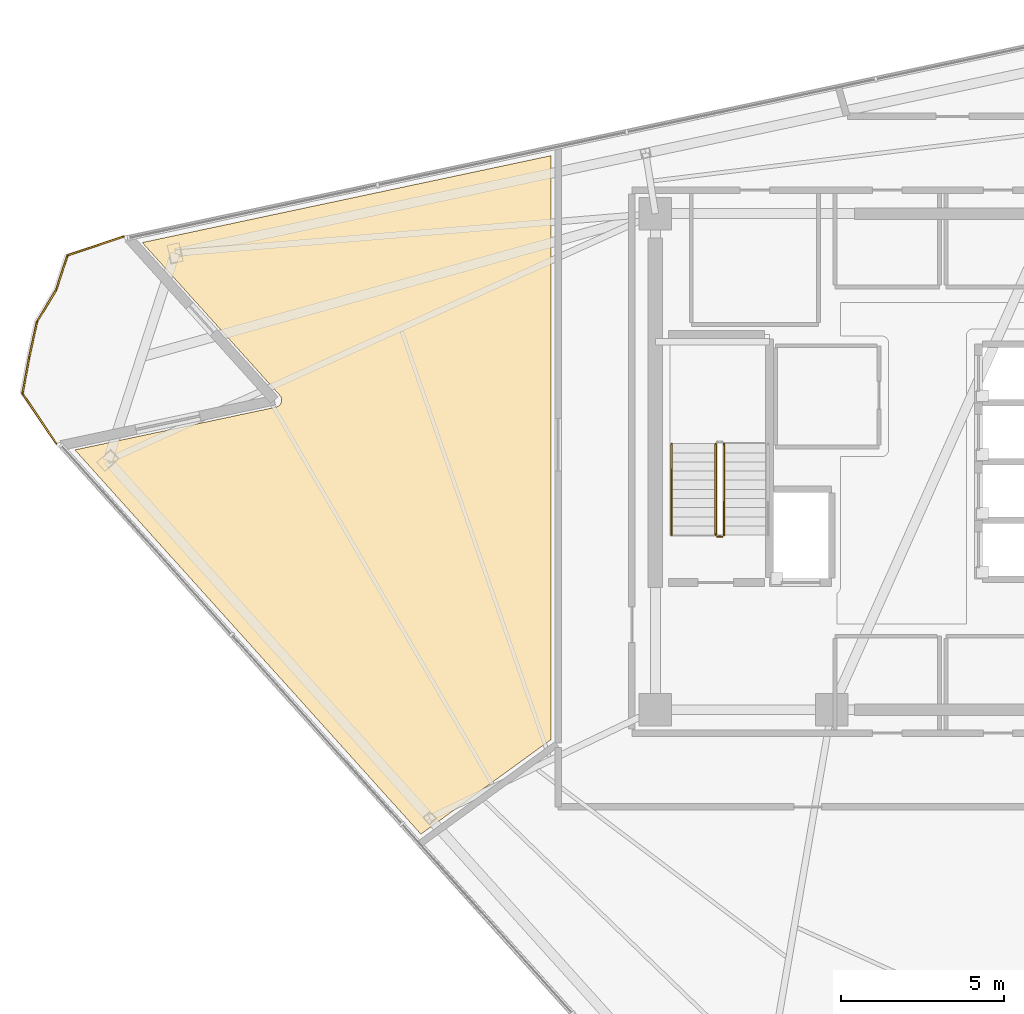
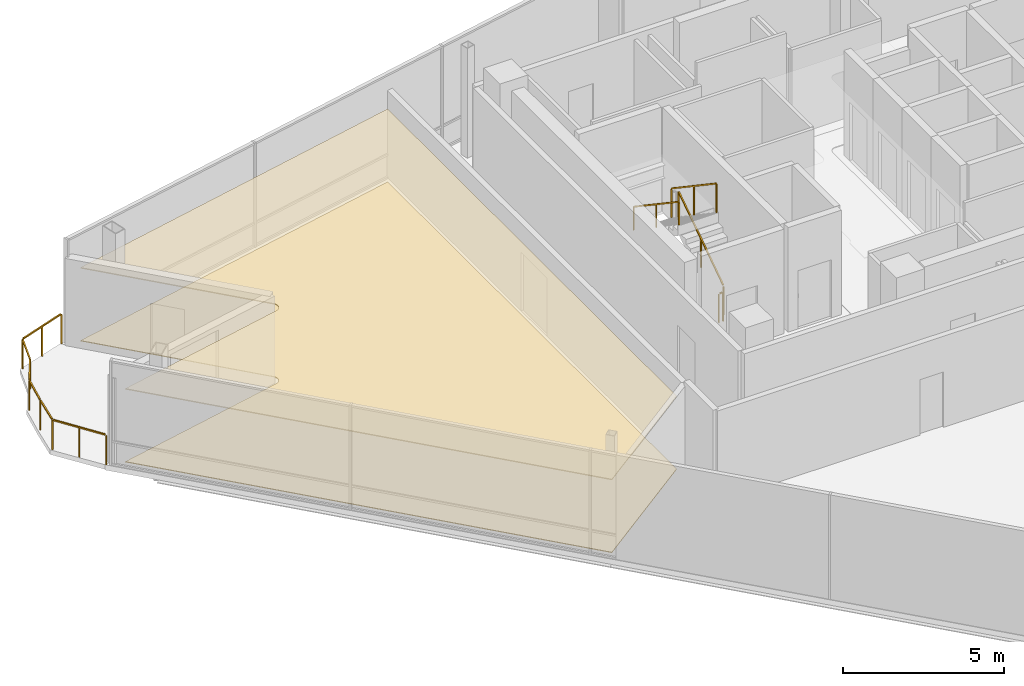
# One storey, part 14 of 16: 5 railings, 2 coverings.
"""IFC4 building model written with IfcOpenShell, lengths in metres."""

from ifc_helpers import new_model, si_unit, direction, frame, origin, origin_2d, place, context, subcontext, project, spatial, polyline, rectangle, outline, extrude, material, layer, layer_set, type_object, element, save


model = new_model("IFC4")

# Units and contexts
model_context = context("Model", 3, precision=1e-05, world=origin(), true_north=direction((0.0, 1.0)))
body_context = subcontext(model_context, "Body", "Model", "MODEL_VIEW")
ifc_project = project(units=[si_unit("LENGTHUNIT", "METRE"), si_unit("AREAUNIT", "SQUARE_METRE"), si_unit("VOLUMEUNIT", "CUBIC_METRE"), si_unit("PLANEANGLEUNIT", "RADIAN"), si_unit("MASSUNIT", "GRAM", prefix="KILO")], contexts=[model_context])

# Site, building, storey
site_placement = place(None, origin())
site = spatial("IfcSite", under=ifc_project, at=site_placement, CompositionType="ELEMENT")
building_placement = place(site_placement, origin())
building = spatial("IfcBuilding", under=site, at=building_placement, Name="Tharavind Bronze Gate", CompositionType="ELEMENT")
storey_placement = place(building_placement, frame((0.0, 0.0, 302.14990234375)))
storey = spatial("IfcBuildingStorey", under=building, at=storey_placement, Name="L78", CompositionType="ELEMENT", Elevation=302.14990234375)

# Coverings
ifc_material_1 = material(Name="Acoustic Gypsum Board", Category="gypsum")
ifc_layer_1 = layer(ifc_material_1, 0.030029296875)
ifc_layer_set_1 = layer_set([ifc_layer_1], Name="Acoustic Gypsum Board")
covering_type_1 = type_object("IfcCoveringType", Name="GYPSUM SUSPENDED CEILING", PredefinedType="CEILING", material=ifc_layer_set_1)
covering_1_placement = place(storey_placement, frame((0.0, 0.0, 2.75)))
element("IfcCovering", 1, at=covering_1_placement, inside=storey, type_object=covering_type_1, Name="L78-RM-03 suspended ceiling", PredefinedType="CEILING", context=body_context, shape_type="SweptSolid", body=[
    extrude(outline(polyline([(-16.08544921875, -11.414794921875), (-12.10009765625, -8.519287109375), (-12.10009765625, 9.3740234375), (-24.62255859375, 6.712158203125), (-20.408203125, 2.03173828125), (-20.401123046875, 2.023193359375), (-20.400634765625, 2.02294921875), (-20.3876953125, 2.005126953125), (-20.376708984375, 1.986328125), (-20.367431640625, 1.96630859375), (-20.360107421875, 1.94580078125), (-20.35498046875, 1.92431640625), (-20.35205078125, 1.902587890625), (-20.351318359375, 1.880615234375), (-20.352783203125, 1.85888671875), (-20.3564453125, 1.837158203125), (-20.362060546875, 1.81591796875), (-20.369873046875, 1.79541015625), (-20.379638671875, 1.77587890625), (-20.3916015625, 1.75732421875), (-20.405029296875, 1.739990234375), (-20.420166015625, 1.72412109375), (-20.436767578125, 1.7099609375), (-20.454833984375, 1.697509765625), (-20.473876953125, 1.686767578125), (-20.494140625, 1.677978515625), (-20.514892578125, 1.67138671875), (-20.515380859375, 1.671142578125), (-20.526123046875, 1.668701171875), (-26.686767578125, 0.359130859375), (-16.08544921875, -11.414794921875)])), origin(), (0.0, 0.0, 1.0), 0.03515625),
])
ifc_material_2 = material(Name="Honed Travertine Limestone", Category="masonry")
ifc_layer_2 = layer(ifc_material_2, 0.030029296875)
ifc_layer_set_2 = layer_set([ifc_layer_2], Name="Honed Travertine Limestone")
covering_type_2 = type_object("IfcCoveringType", Name="HONED LIMESTONE FLOORING", PredefinedType="FLOORING", material=ifc_layer_set_2)
covering_2_placement = place(storey_placement, origin())
element("IfcCovering", 2, at=covering_2_placement, inside=storey, type_object=covering_type_2, Name="L78-RM-03 floor finish", PredefinedType="FLOORING", context=body_context, shape_type="SweptSolid", body=[
    extrude(outline(polyline([(-16.08544921875, -11.414794921875), (-12.10009765625, -8.519287109375), (-12.10009765625, 9.3740234375), (-24.62255859375, 6.712158203125), (-20.408203125, 2.03173828125), (-20.401123046875, 2.023193359375), (-20.400634765625, 2.02294921875), (-20.3876953125, 2.005126953125), (-20.376708984375, 1.986328125), (-20.367431640625, 1.96630859375), (-20.360107421875, 1.94580078125), (-20.35498046875, 1.92431640625), (-20.35205078125, 1.902587890625), (-20.351318359375, 1.880615234375), (-20.352783203125, 1.85888671875), (-20.3564453125, 1.837158203125), (-20.362060546875, 1.81591796875), (-20.369873046875, 1.79541015625), (-20.379638671875, 1.77587890625), (-20.3916015625, 1.75732421875), (-20.405029296875, 1.739990234375), (-20.420166015625, 1.72412109375), (-20.436767578125, 1.7099609375), (-20.454833984375, 1.697509765625), (-20.473876953125, 1.686767578125), (-20.494140625, 1.677978515625), (-20.514892578125, 1.67138671875), (-20.515380859375, 1.671142578125), (-20.526123046875, 1.668701171875), (-26.686767578125, 0.359130859375), (-16.08544921875, -11.414794921875)])), origin(), (0.0, 0.0, 1.0), 0.025146484375),
])

# Railings
ifc_material_3 = material(Name="Brushed Bronze Alloy", Category="metal")
railing_type_1 = type_object("IfcRailingType", Name="STAIR BRONZE HANDRAIL 900", PredefinedType="HANDRAIL", material=ifc_material_3)
railing_1_placement = place(storey_placement, frame((-8.39990234375, 0.550048828125, 2.263671875)))
element("IfcRailing", 3, at=railing_1_placement, inside=storey, type_object=railing_type_1, Name="L78 ST1 stair handrail 2", PredefinedType="HANDRAIL", context=body_context, shape_type="SweptSolid", body=[
    extrude(rectangle(XDim=0.048095703125, YDim=0.048095703125, at=origin_2d()), frame((0.0, -0.026611328125, 0.893798828125), z_axis=(0.0, -0.829337087117, 0.558748598148), x_axis=(1.0, 0.0, 0.0)), (0.0, 0.0, 1.0), 3.312255859375),
    extrude(rectangle(XDim=0.0400390625, YDim=0.0400390625, at=origin_2d()), origin(), (0.0, 0.0, 1.0), 0.847900390625),
    extrude(rectangle(XDim=0.0400390625, YDim=0.0400390625, at=origin_2d()), frame((0.0, -1.39990234375, 0.943359375)), (0.0, 0.0, 1.0), 0.847900390625),
    extrude(rectangle(XDim=0.0400390625, YDim=0.0400390625, at=origin_2d()), frame((0.0, -2.800048828125, 1.886474609375)), (0.0, 0.0, 1.0), 0.847900390625),
])
railing_type_2 = type_object("IfcRailingType", Name="STAIR WELL GUARD RAILING 1120", PredefinedType="GUARDRAIL", material=ifc_material_3)
railing_2_placement = place(storey_placement, frame((-6.800048828125, -2.25, 0.188720703125)))
element("IfcRailing", 4, at=railing_2_placement, inside=storey, type_object=railing_type_2, Name="L78 ST1 stair guard 1", PredefinedType="GUARDRAIL", context=body_context, shape_type="SweptSolid", body=[
    extrude(rectangle(XDim=0.048095703125, YDim=0.048095703125, at=origin_2d()), frame((0.0, 0.026611328125, 1.114013671875), z_axis=(0.0, 0.829337087117, 0.558748598148), x_axis=(-1.0, 0.0, 0.0)), (0.0, 0.0, 1.0), 3.312255859375),
    extrude(rectangle(XDim=0.0400390625, YDim=0.0400390625, at=origin_2d()), origin(), (0.0, 0.0, 1.0), 1.068115234375),
    extrude(rectangle(XDim=0.0400390625, YDim=0.0400390625, at=origin_2d()), frame((0.0, 1.39990234375, 0.943359375)), (0.0, 0.0, 1.0), 1.068115234375),
    extrude(rectangle(XDim=0.0400390625, YDim=0.0400390625, at=origin_2d()), frame((0.0, 2.800048828125, 1.886474609375)), (0.0, 0.0, 1.0), 1.068115234375),
])
railing_3_placement = place(storey_placement, frame((-7.050048828125, 0.550048828125, 2.263671875)))
element("IfcRailing", 5, at=railing_3_placement, inside=storey, type_object=railing_type_2, Name="L78 ST1 stair guard 3", PredefinedType="GUARDRAIL", context=body_context, shape_type="SweptSolid", body=[
    extrude(rectangle(XDim=0.048095703125, YDim=0.048095703125, at=origin_2d()), frame((0.0, -0.026611328125, 1.114013671875), z_axis=(0.0, -0.829337087117, 0.558748598148), x_axis=(1.0, 0.0, 0.0)), (0.0, 0.0, 1.0), 3.312255859375),
    extrude(rectangle(XDim=0.0400390625, YDim=0.0400390625, at=origin_2d()), origin(), (0.0, 0.0, 1.0), 1.068115234375),
    extrude(rectangle(XDim=0.0400390625, YDim=0.0400390625, at=origin_2d()), frame((0.0, -1.39990234375, 0.943359375)), (0.0, 0.0, 1.0), 1.068115234375),
    extrude(rectangle(XDim=0.0400390625, YDim=0.0400390625, at=origin_2d()), frame((0.0, -2.800048828125, 1.886474609375)), (0.0, 0.0, 1.0), 1.068115234375),
])
railing_4_placement = place(storey_placement, frame((-6.85009765625, -2.300048828125, 0.0)))
element("IfcRailing", 6, at=railing_4_placement, inside=storey, type_object=railing_type_2, Name="L78 ST1 stair guard 4", PredefinedType="GUARDRAIL", context=body_context, shape_type="SweptSolid", body=[
    extrude(rectangle(XDim=0.048095703125, YDim=0.048095703125, at=origin_2d()), frame((-0.031982421875, 0.0, 1.09619140625), z_axis=(-1.0, 0.0, 0.0), x_axis=(0.0, -1.0, 0.0)), (0.0, 0.0, 1.0), 0.0859375),
    extrude(rectangle(XDim=0.0400390625, YDim=0.0400390625, at=origin_2d()), origin(), (0.0, 0.0, 1.0), 1.068115234375),
    extrude(rectangle(XDim=0.0400390625, YDim=0.0400390625, at=origin_2d()), frame((-0.14990234375, 0.0, 0.0)), (0.0, 0.0, 1.0), 1.068115234375),
])
ifc_material_4 = material(Name="Bronze Cap & Laminated Glass", Category="glass")
railing_type_3 = type_object("IfcRailingType", Name="TERRACE GLASS GUARD RAILING 1150", PredefinedType="GUARDRAIL", material=ifc_material_4)
railing_5_placement = place(storey_placement, frame((-27.257568359375, 0.544677734375, 0.0)))
element("IfcRailing", 7, at=railing_5_placement, inside=storey, type_object=railing_type_3, Name="L78 tree balcony guard railing", PredefinedType="GUARDRAIL", context=body_context, shape_type="SweptSolid", body=[
    extrude(rectangle(XDim=0.048095703125, YDim=0.048095703125, at=origin_2d()), frame((-0.017822265625, 0.026611328125, 1.1259765625), z_axis=(-0.558006967266, 0.829836263658, 0.0), x_axis=(-0.829836263658, -0.558006967266, 0.0)), (0.0, 0.0, 1.0), 1.790771484375),
    extrude(rectangle(XDim=0.048095703125, YDim=0.048095703125, at=origin_2d()), frame((-1.029052734375, 1.570556640625, 1.1259765625), z_axis=(0.181084966823, 0.983467454871, 0.0), x_axis=(-0.983467454871, 0.181084966823, 0.0)), (0.0, 0.0, 1.0), 1.05908203125),
    extrude(rectangle(XDim=0.048095703125, YDim=0.048095703125, at=origin_2d()), frame((-0.82470703125, 2.6748046875, 1.1259765625), z_axis=(0.212076358892, 0.977253098229, 0.0), x_axis=(-0.977253098229, 0.212076358892, 0.0)), (0.0, 0.0, 1.0), 1.054931640625),
    extrude(rectangle(XDim=0.048095703125, YDim=0.048095703125, at=origin_2d()), frame((-0.57763671875, 3.764404296875, 1.1259765625), z_axis=(0.517193856548, 0.855868281191, 0.0), x_axis=(-0.855868281191, 0.517193856548, 0.0)), (0.0, 0.0, 1.0), 1.079345703125),
    extrude(rectangle(XDim=0.048095703125, YDim=0.048095703125, at=origin_2d()), frame((0.007080078125, 4.74609375, 1.1259765625), z_axis=(0.309180276792, 0.951003447125, 0.0), x_axis=(-0.951003447125, 0.309180276792, 0.0)), (0.0, 0.0, 1.0), 1.04931640625),
    extrude(rectangle(XDim=0.048095703125, YDim=0.048095703125, at=origin_2d()), frame((0.37158203125, 5.78466796875, 1.1259765625), z_axis=(0.947982555564, 0.31832228063, 0.0), x_axis=(-0.31832228063, 0.947982555564, 0.0)), (0.0, 0.0, 1.0), 1.753662109375),
    extrude(rectangle(XDim=0.0400390625, YDim=0.0400390625, at=origin_2d()), origin(), (0.0, 0.0, 1.0), 1.097900390625),
    extrude(rectangle(XDim=0.0400390625, YDim=0.0400390625, at=origin_2d()), frame((-0.517578125, 0.76953125, 0.0)), (0.0, 0.0, 1.0), 1.097900390625),
    extrude(rectangle(XDim=0.0400390625, YDim=0.0400390625, at=origin_2d()), frame((-1.034912109375, 1.5390625, 0.0)), (0.0, 0.0, 1.0), 1.097900390625),
    extrude(rectangle(XDim=0.0400390625, YDim=0.0400390625, at=origin_2d()), frame((-0.83154296875, 2.6435546875, 0.0)), (0.0, 0.0, 1.0), 1.097900390625),
    extrude(rectangle(XDim=0.0400390625, YDim=0.0400390625, at=origin_2d()), frame((-0.59423828125, 3.737060546875, 0.0)), (0.0, 0.0, 1.0), 1.097900390625),
    extrude(rectangle(XDim=0.0400390625, YDim=0.0400390625, at=origin_2d()), frame((-0.0029296875, 4.715576171875, 0.0)), (0.0, 0.0, 1.0), 1.097900390625),
    extrude(rectangle(XDim=0.0400390625, YDim=0.0400390625, at=origin_2d()), frame((0.34130859375, 5.7744140625, 0.0)), (0.0, 0.0, 1.0), 1.097900390625),
    extrude(rectangle(XDim=0.0400390625, YDim=0.0400390625, at=origin_2d()), frame((1.202880859375, 6.063720703125, 0.0)), (0.0, 0.0, 1.0), 1.097900390625),
    extrude(rectangle(XDim=0.0400390625, YDim=0.0400390625, at=origin_2d()), frame((2.064453125, 6.35302734375, 0.0)), (0.0, 0.0, 1.0), 1.097900390625),
])

save(model, "model.ifc")
